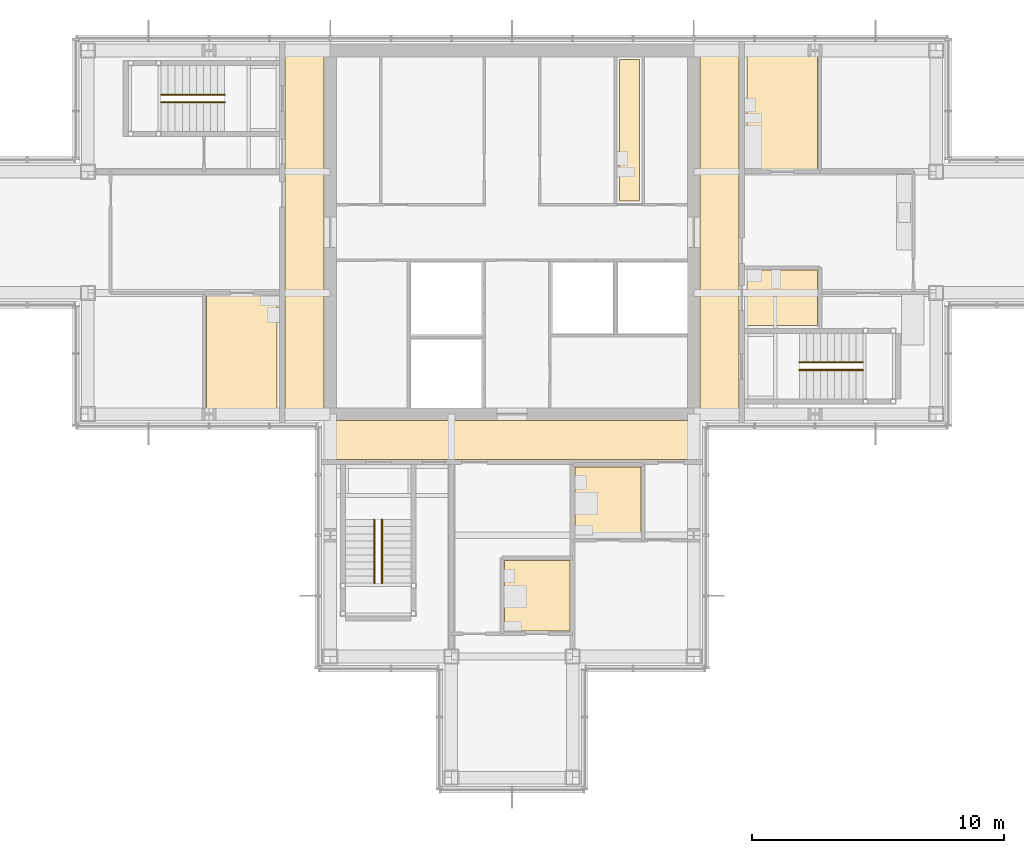
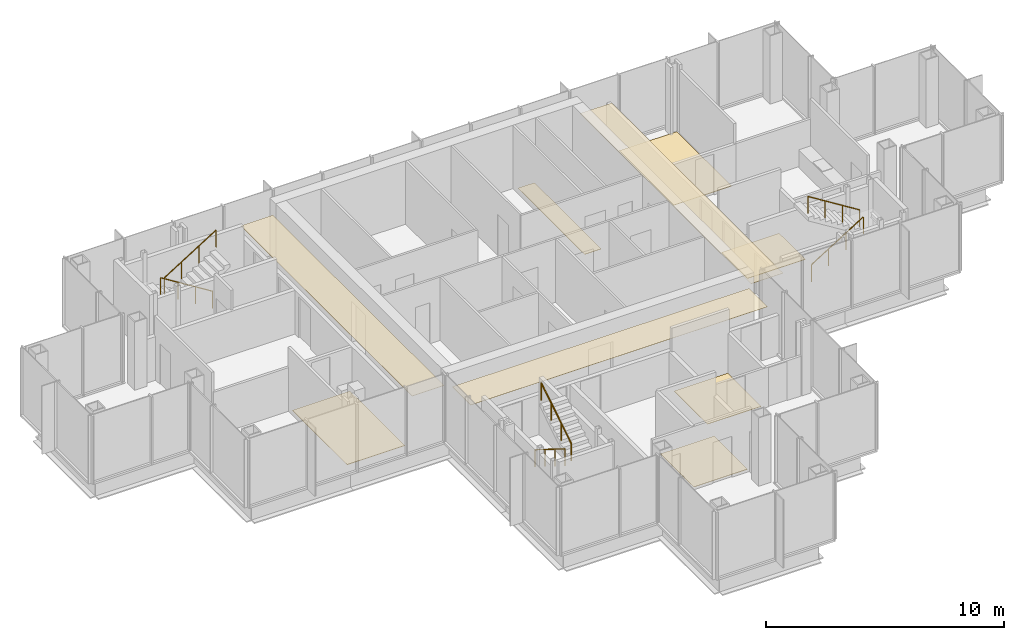
# One storey, part 13 of 15: 9 coverings, 6 railings.
"""IFC4 building model written with IfcOpenShell, lengths in metres."""

import ifcopenshell
import ifcopenshell.guid

model = None  # the IFC model being written
_history = None  # IfcOwnerHistory: only IFC2X3 demands one
_inside = {}  # id of a spatial element -> (the spatial element, [elements in it])
_under = {}  # id of a project, library or spatial element -> (it, [spatial elements below it])
_declared = {}  # id of a project -> (the project, [libraries it declares])
_typed = {}  # id of a type object -> (the type object, [elements of that type])
_made_of = {}  # id of a material, layer set ... -> (it, [elements and type objects made of it])


def new_model(schema):
    """Start an empty IFC model of exactly this schema.

    Asked for "IFC4X3", IfcOpenShell would pick the latest addendum, in which some entities
    have other attributes; the version numbers below select the first issue.
    IFC2X3 requires an IfcOwnerHistory on every rooted entity: one is made here for all.
    """
    global model, _history
    if schema == "IFC4X3":
        model = ifcopenshell.file(schema_version=(4, 3, 0, 0))
    else:
        model = ifcopenshell.file(schema=schema)
    _inside.clear()
    _under.clear()
    _declared.clear()
    _typed.clear()
    _made_of.clear()
    _history = None
    if model.schema == "IFC2X3":
        org = make("IfcOrganization", Name="unknown")
        user = make(
            "IfcPersonAndOrganization",
            ThePerson=make("IfcPerson", FamilyName="unknown"),
            TheOrganization=org,
        )
        app = make(
            "IfcApplication",
            ApplicationDeveloper=org,
            Version="unknown",
            ApplicationFullName="unknown",
            ApplicationIdentifier="unknown",
        )
        _history = make(
            "IfcOwnerHistory",
            OwningUser=user,
            OwningApplication=app,
            ChangeAction="ADDED",
            CreationDate=0,
        )
    return model


def make(cls, **values):
    """One entity of the class cls with the attributes given. An attribute that is None is left unset."""
    return model.create_entity(
        cls, **{name: value for name, value in values.items() if value is not None}
    )


def rooted(cls, **values):
    """An entity with a GlobalId (a new one), such as an element, a storey or a relation."""
    return make(cls, GlobalId=ifcopenshell.guid.new(), OwnerHistory=_history, **values)


def si_unit(unit_type, name, prefix=None):
    """IfcSIUnit, for example si_unit("LENGTHUNIT", "METRE", prefix="MILLI")."""
    return make("IfcSIUnit", UnitType=unit_type, Prefix=prefix, Name=name)


def assignment(units):
    """IfcUnitAssignment: the units of a project."""
    return None if units is None else make("IfcUnitAssignment", Units=units)


def point(xyz):
    """IfcCartesianPoint."""
    return None if xyz is None else make("IfcCartesianPoint", Coordinates=xyz)


def direction(xyz):
    """IfcDirection."""
    return None if xyz is None else make("IfcDirection", DirectionRatios=xyz)


def frame(location, z_axis=None, x_axis=None):
    """IfcAxis2Placement3D, a coordinate frame: its origin and axes. An axis left out is left unset."""
    return make(
        "IfcAxis2Placement3D",
        Location=point(location),
        Axis=direction(z_axis),
        RefDirection=direction(x_axis),
    )


def frame_2d(location, x_axis=None):
    """IfcAxis2Placement2D, a coordinate frame in the plane: its origin and x axis."""
    return make(
        "IfcAxis2Placement2D", Location=point(location), RefDirection=direction(x_axis)
    )


def origin():
    """The frame at (0, 0, 0) with its axes left unset."""
    return frame((0.0, 0.0, 0.0))


def origin_2d():
    """The frame at (0, 0) in the plane with its x axis left unset."""
    return frame_2d((0.0, 0.0))


def place(relative_to, where):
    """IfcLocalPlacement: puts the frame where relative to a parent placement (None: the world)."""
    return make(
        "IfcLocalPlacement", PlacementRelTo=relative_to, RelativePlacement=where
    )


def context(
    kind, dimensions, precision=None, world=None, true_north=None, identifier=None
):
    """IfcGeometricRepresentationContext, for example the 3D "Model" context."""
    return make(
        "IfcGeometricRepresentationContext",
        ContextIdentifier=identifier,
        ContextType=kind,
        CoordinateSpaceDimension=dimensions,
        Precision=precision,
        WorldCoordinateSystem=world,
        TrueNorth=true_north,
    )


def subcontext(parent, identifier, kind, view, scale=None):
    """IfcGeometricRepresentationSubContext, for example "Body" below "Model"."""
    return make(
        "IfcGeometricRepresentationSubContext",
        ContextIdentifier=identifier,
        ContextType=kind,
        ParentContext=parent,
        TargetScale=scale,
        TargetView=view,
    )


def project(units=None, contexts=None):
    """IfcProject with its units and contexts."""
    return rooted(
        "IfcProject",
        Name="project",
        RepresentationContexts=contexts,
        UnitsInContext=assignment(units),
    )


def spatial(cls, under=None, at=None, **own):
    """A site, building, storey or space (cls), placed at a placement, below another one or the project."""
    s = rooted(cls, ObjectPlacement=at, **own)
    if under is not None:
        _under.setdefault(under.id(), (under, []))[1].append(s)
    return s


def polyline(points):
    """IfcPolyline through the points."""
    return make("IfcPolyline", Points=[point(p) for p in points])


def profile(cls, at=None, kind="AREA", **sizes):
    """A parametric profile (cls). Its sizes go by their IFC names, for example OverallWidth=200.0."""
    return make(cls, ProfileType=kind, Position=at, **sizes)


def circle(**sizes):
    """IfcCircleProfileDef."""
    return profile("IfcCircleProfileDef", **sizes)


def outline(outer, holes=None, kind="AREA"):
    """IfcArbitraryClosedProfileDef: a profile drawn as a closed curve; with holes, ...WithVoids."""
    if holes is None:
        return make("IfcArbitraryClosedProfileDef", ProfileType=kind, OuterCurve=outer)
    return make(
        "IfcArbitraryProfileDefWithVoids",
        ProfileType=kind,
        OuterCurve=outer,
        InnerCurves=holes,
    )


def extrude(swept, where, along, depth):
    """IfcExtrudedAreaSolid: the profile swept, set in the frame where, extruded along a direction by depth."""
    return make(
        "IfcExtrudedAreaSolid",
        SweptArea=swept,
        Position=where,
        ExtrudedDirection=direction(along),
        Depth=depth,
    )


def shape(context_of_items, identifier, shape_type, items):
    """IfcShapeRepresentation: the items that make up one representation, for example the "Body"."""
    return make(
        "IfcShapeRepresentation",
        ContextOfItems=context_of_items,
        RepresentationIdentifier=identifier,
        RepresentationType=shape_type,
        Items=items,
    )


def material(Name=None, Category=None):
    """IfcMaterial."""
    return make("IfcMaterial", Name=Name, Category=Category)


def layer(
    of_material, thickness, ventilated=None, Name=None, Category=None, Priority=None
):
    """IfcMaterialLayer: one layer of a wall or slab, of a material (None: an air gap)."""
    return make(
        "IfcMaterialLayer",
        Material=of_material,
        LayerThickness=thickness,
        IsVentilated=ventilated,
        Name=Name,
        Category=Category,
        Priority=Priority,
    )


def layer_set(layers, Name=None):
    """IfcMaterialLayerSet."""
    return make("IfcMaterialLayerSet", MaterialLayers=layers, LayerSetName=Name)


def made_of(thing, what):
    """Note that an element or type object is made of a material, layer set ...; save() writes the relation."""
    if what is not None:
        _made_of.setdefault(what.id(), (what, []))[1].append(thing)
    return thing


def type_object(cls, material=None, **own):
    """A type object (cls), such as IfcWallType, which elements share."""
    return made_of(rooted(cls, **own), material)


def element(
    cls,
    number,
    at=None,
    inside=None,
    cuts=None,
    type_object=None,
    material=None,
    context=None,
    identifier="Body",
    shape_type=None,
    held_by="IfcProductDefinitionShape",
    body=None,
    shapes=None,
    **own,
):
    """One element of the class cls, such as IfcWall. Its Tag is "e" and its number.

    at: its placement. inside: the storey or other place that contains it. cuts: it is an
    opening in that element (IfcRelVoidsElement). A single representation is given by context,
    identifier, shape_type and body (its items); several are given by shapes. held_by: the class
    of the entity that holds the representations. save() writes the other relations.
    """
    e = rooted(cls, Tag="e%d" % number, ObjectPlacement=at, **own)
    if body is not None:
        shapes = [shape(context, identifier, shape_type, body)]
    if shapes is not None:
        e.Representation = make(held_by, Representations=shapes)
    if inside is not None:
        _inside.setdefault(inside.id(), (inside, []))[1].append(e)
    if cuts is not None:
        rooted(
            "IfcRelVoidsElement", RelatingBuildingElement=cuts, RelatedOpeningElement=e
        )
    if type_object is not None:
        _typed.setdefault(type_object.id(), (type_object, []))[1].append(e)
    return made_of(e, material)


def aggregate(whole, parts):
    """IfcRelAggregates: a whole, such as a stair, and the parts it consists of."""
    return rooted("IfcRelAggregates", RelatingObject=whole, RelatedObjects=parts)


def save(model, path):
    """Write the relations noted so far, then the file.

    IfcRelAggregates (storeys below a building ...), IfcRelContainedInSpatialStructure (elements
    in a storey), IfcRelDefinesByType, IfcRelAssociatesMaterial and IfcRelDeclares: one each for
    every whole, place, type object, material and project.
    """
    for whole, parts in _under.values():
        aggregate(whole, parts)
    for where, things in _inside.values():
        rooted(
            "IfcRelContainedInSpatialStructure",
            RelatedElements=things,
            RelatingStructure=where,
        )
    for kind, things in _typed.values():
        rooted("IfcRelDefinesByType", RelatedObjects=things, RelatingType=kind)
    for what, things in _made_of.values():
        rooted("IfcRelAssociatesMaterial", RelatedObjects=things, RelatingMaterial=what)
    for by, libraries in _declared.values():
        rooted("IfcRelDeclares", RelatingContext=by, RelatedDefinitions=libraries)
    model.write(path)


model = new_model("IFC4")

# Units and contexts
model_context = context("Model", 3, precision=1e-05, world=origin(), true_north=direction((0.0, 1.0)))
body_context = subcontext(model_context, "Body", "Model", "MODEL_VIEW")
ifc_project = project(units=[si_unit("LENGTHUNIT", "METRE"), si_unit("AREAUNIT", "SQUARE_METRE"), si_unit("VOLUMEUNIT", "CUBIC_METRE"), si_unit("PLANEANGLEUNIT", "RADIAN"), si_unit("MASSUNIT", "GRAM", prefix="KILO")], contexts=[model_context])

# Site, building, storey
site_placement = place(None, origin())
site = spatial("IfcSite", under=ifc_project, at=site_placement, CompositionType="ELEMENT")
building_placement = place(site_placement, origin())
building = spatial("IfcBuilding", under=site, at=building_placement, Name="Kvirike Care Tower", CompositionType="ELEMENT")
storey_placement = place(building_placement, frame((0.0, 0.0, 240.0)))
storey = spatial("IfcBuildingStorey", under=building, at=storey_placement, Name="L66", CompositionType="ELEMENT", Elevation=240.0)

# Coverings
ifc_material_1 = material(Name="Perforated metal ceiling tile", Category="aluminium")
ifc_layer_1 = layer(ifc_material_1, 0.014892578125)
ifc_layer_set_1 = layer_set([ifc_layer_1], Name="CORRIDOR CEILING 15")
covering_type_1 = type_object("IfcCoveringType", Name="CORRIDOR CEILING 15", PredefinedType="CEILING", material=ifc_layer_set_1)
covering_1_placement = place(storey_placement, frame((0.0, 0.0, 2.5)))
element("IfcCovering", 1, at=covering_1_placement, inside=storey, type_object=covering_type_1, Name="Corridor ceiling L66", PredefinedType="CEILING", context=body_context, shape_type="SweptSolid", body=[
    extrude(outline(polyline([(12.60009765625, 43.199951171875), (14.14990234375, 43.199951171875), (14.14990234375, 28.800048828125), (12.60009765625, 28.800048828125), (12.60009765625, 43.199951171875)])), origin(), (0.0, 0.0, 1.0), 0.014892578125),
])
covering_2_placement = place(storey_placement, frame((0.0, 0.0, 2.5)))
element("IfcCovering", 2, at=covering_2_placement, inside=storey, type_object=covering_type_1, Name="Corridor ceiling L66", PredefinedType="CEILING", context=body_context, shape_type="SweptSolid", body=[
    extrude(outline(polyline([(14.39990234375, 27.0), (14.39990234375, 28.550048828125), (28.800048828125, 28.550048828125), (28.800048828125, 27.0), (14.39990234375, 27.0)])), origin(), (0.0, 0.0, 1.0), 0.014892578125),
])
covering_3_placement = place(storey_placement, frame((0.0, 0.0, 2.5)))
element("IfcCovering", 3, at=covering_3_placement, inside=storey, type_object=covering_type_1, Name="Corridor ceiling L66", PredefinedType="CEILING", context=body_context, shape_type="SweptSolid", body=[
    extrude(outline(polyline([(30.60009765625, 28.800048828125), (29.050048828125, 28.800048828125), (29.050048828125, 43.199951171875), (30.60009765625, 43.199951171875), (30.60009765625, 28.800048828125)])), origin(), (0.0, 0.0, 1.0), 0.014892578125),
])

# Railings
ifc_material_2 = material(Name="Stainless steel handrail", Category="steel")
railing_type = type_object("IfcRailingType", Name="STAIR HANDRAIL 900", PredefinedType="HANDRAIL", material=ifc_material_2)
railing_1_placement = place(storey_placement, frame((10.219970703125, 41.449951171875, 0.175048828125)))
element("IfcRailing", 4, at=railing_1_placement, inside=storey, type_object=railing_type, Name="Stair 1 handrail L66 flight 1", PredefinedType="HANDRAIL", context=body_context, shape_type="SweptSolid", body=[
    extrude(circle(Radius=0.02490234375, at=origin_2d()), frame((0.0, 0.0, 0.875), z_axis=(-0.848007534815, 0.0, 0.529984170421), x_axis=(0.0, -1.0, 0.0)), (0.0, 0.0, 1.0), 2.9716796875),
    extrude(circle(Radius=0.02001953125, at=origin_2d()), origin(), (0.0, 0.0, 1.0), 0.849853515625),
    extrude(circle(Radius=0.02001953125, at=origin_2d()), frame((-0.840087890625, 0.0, 0.52490234375)), (0.0, 0.0, 1.0), 0.849853515625),
    extrude(circle(Radius=0.02001953125, at=origin_2d()), frame((-1.679931640625, 0.0, 1.050048828125)), (0.0, 0.0, 1.0), 0.849853515625),
    extrude(circle(Radius=0.02001953125, at=origin_2d()), frame((-2.52001953125, 0.0, 1.574951171875)), (0.0, 0.0, 1.0), 0.849853515625),
])
for number, where, name in (
    (5, (7.699951171875, 41.14990234375, 1.925048828125), "Stair 1 handrail L66 flight 2"),
    (6, (32.97998046875, 30.550048828125, 0.175048828125), "Stair 2 handrail L66 flight 1"),
):
    element("IfcRailing", number, at=place(storey_placement, frame(where)), inside=storey, type_object=railing_type, Name=name, PredefinedType="HANDRAIL", context=body_context, shape_type="SweptSolid", body=[
        extrude(circle(Radius=0.02490234375, at=origin_2d()), frame((0.0, 0.0, 0.875), z_axis=(0.848007534815, 0.0, 0.529984170421), x_axis=(0.0, 1.0, 0.0)), (0.0, 0.0, 1.0), 2.9716796875),
        extrude(circle(Radius=0.02001953125, at=origin_2d()), origin(), (0.0, 0.0, 1.0), 0.849853515625),
        extrude(circle(Radius=0.02001953125, at=origin_2d()), frame((0.840087890625, 0.0, 0.52490234375)), (0.0, 0.0, 1.0), 0.849853515625),
        extrude(circle(Radius=0.02001953125, at=origin_2d()), frame((1.679931640625, 0.0, 1.050048828125)), (0.0, 0.0, 1.0), 0.849853515625),
        extrude(circle(Radius=0.02001953125, at=origin_2d()), frame((2.52001953125, 0.0, 1.574951171875)), (0.0, 0.0, 1.0), 0.849853515625),
    ])
railing_2_placement = place(storey_placement, frame((35.5, 30.85009765625, 1.925048828125)))
element("IfcRailing", 7, at=railing_2_placement, inside=storey, type_object=railing_type, Name="Stair 2 handrail L66 flight 2", PredefinedType="HANDRAIL", context=body_context, shape_type="SweptSolid", body=[
    extrude(circle(Radius=0.02490234375, at=origin_2d()), frame((0.0, 0.0, 0.875), z_axis=(-0.848007534815, 0.0, 0.529984170421), x_axis=(0.0, -1.0, 0.0)), (0.0, 0.0, 1.0), 2.9716796875),
    extrude(circle(Radius=0.02001953125, at=origin_2d()), origin(), (0.0, 0.0, 1.0), 0.849853515625),
    extrude(circle(Radius=0.02001953125, at=origin_2d()), frame((-0.840087890625, 0.0, 0.52490234375)), (0.0, 0.0, 1.0), 0.849853515625),
    extrude(circle(Radius=0.02001953125, at=origin_2d()), frame((-1.679931640625, 0.0, 1.050048828125)), (0.0, 0.0, 1.0), 0.849853515625),
    extrude(circle(Radius=0.02001953125, at=origin_2d()), frame((-2.52001953125, 0.0, 1.574951171875)), (0.0, 0.0, 1.0), 0.849853515625),
])
railing_3_placement = place(storey_placement, frame((16.14990234375, 24.6201171875, 0.175048828125)))
element("IfcRailing", 8, at=railing_3_placement, inside=storey, type_object=railing_type, Name="Stair 5 handrail L66 flight 1", PredefinedType="HANDRAIL", context=body_context, shape_type="SweptSolid", body=[
    extrude(circle(Radius=0.02490234375, at=origin_2d()), frame((0.0, 0.0, 0.875), z_axis=(0.0, -0.848007534815, 0.529984170421), x_axis=(1.0, 0.0, 0.0)), (0.0, 0.0, 1.0), 2.9716796875),
    extrude(circle(Radius=0.02001953125, at=origin_2d()), origin(), (0.0, 0.0, 1.0), 0.849853515625),
    extrude(circle(Radius=0.02001953125, at=origin_2d()), frame((0.0, -0.840087890625, 0.52490234375)), (0.0, 0.0, 1.0), 0.849853515625),
    extrude(circle(Radius=0.02001953125, at=origin_2d()), frame((0.0, -1.679931640625, 1.050048828125)), (0.0, 0.0, 1.0), 0.849853515625),
    extrude(circle(Radius=0.02001953125, at=origin_2d()), frame((0.0, -2.52001953125, 1.574951171875)), (0.0, 0.0, 1.0), 0.849853515625),
])
railing_4_placement = place(storey_placement, frame((16.449951171875, 22.10009765625, 1.925048828125)))
element("IfcRailing", 9, at=railing_4_placement, inside=storey, type_object=railing_type, Name="Stair 5 handrail L66 flight 2", PredefinedType="HANDRAIL", context=body_context, shape_type="SweptSolid", body=[
    extrude(circle(Radius=0.02490234375, at=origin_2d()), frame((0.0, 0.0, 0.875), z_axis=(0.0, 0.848007534815, 0.529984170421), x_axis=(-1.0, 0.0, 0.0)), (0.0, 0.0, 1.0), 2.9716796875),
    extrude(circle(Radius=0.02001953125, at=origin_2d()), origin(), (0.0, 0.0, 1.0), 0.849853515625),
    extrude(circle(Radius=0.02001953125, at=origin_2d()), frame((0.0, 0.840087890625, 0.52490234375)), (0.0, 0.0, 1.0), 0.849853515625),
    extrude(circle(Radius=0.02001953125, at=origin_2d()), frame((0.0, 1.679931640625, 1.050048828125)), (0.0, 0.0, 1.0), 0.849853515625),
    extrude(circle(Radius=0.02001953125, at=origin_2d()), frame((0.0, 2.52001953125, 1.574951171875)), (0.0, 0.0, 1.0), 0.849853515625),
])

# Coverings
ifc_material_3 = material(Name="Slip-resistant vinyl safety flooring on screed")
ifc_layer_2 = layer(ifc_material_3, 0.02001953125)
ifc_layer_set_2 = layer_set([ifc_layer_2], Name="WET ROOM FLOOR 20")
covering_type_2 = type_object("IfcCoveringType", Name="WET ROOM FLOOR 20", PredefinedType="FLOORING", material=ifc_layer_set_2)
covering_4_placement = place(storey_placement, origin())
element("IfcCovering", 10, at=covering_4_placement, inside=storey, type_object=covering_type_2, Name="Accessible WC floor L66-006", PredefinedType="FLOORING", context=body_context, shape_type="SweptSolid", body=[
    extrude(outline(polyline([(9.5, 33.5), (12.300048828125, 33.5), (12.300048828125, 28.89990234375), (9.5, 28.89990234375), (9.5, 33.5)])), origin(), (0.0, 0.0, 1.0), 0.02001953125),
])
covering_5_placement = place(storey_placement, origin())
element("IfcCovering", 11, at=covering_5_placement, inside=storey, type_object=covering_type_2, Name="En-suite floor L66-012", PredefinedType="FLOORING", context=body_context, shape_type="SweptSolid", body=[
    extrude(outline(polyline([(21.300048828125, 20.199951171875), (21.300048828125, 23.0), (23.89990234375, 23.0), (23.89990234375, 20.199951171875), (21.300048828125, 20.199951171875)])), origin(), (0.0, 0.0, 1.0), 0.02001953125),
])
covering_6_placement = place(storey_placement, origin())
element("IfcCovering", 12, at=covering_6_placement, inside=storey, type_object=covering_type_2, Name="En-suite floor L66-015", PredefinedType="FLOORING", context=body_context, shape_type="SweptSolid", body=[
    extrude(outline(polyline([(24.10009765625, 23.89990234375), (24.10009765625, 26.699951171875), (26.699951171875, 26.699951171875), (26.699951171875, 23.89990234375), (24.10009765625, 23.89990234375)])), origin(), (0.0, 0.0, 1.0), 0.02001953125),
])
covering_7_placement = place(storey_placement, origin())
element("IfcCovering", 13, at=covering_7_placement, inside=storey, type_object=covering_type_2, Name="Accessible WC floor L66-021", PredefinedType="FLOORING", context=body_context, shape_type="SweptSolid", body=[
    extrude(outline(polyline([(33.699951171875, 32.300048828125), (30.89990234375, 32.300048828125), (30.89990234375, 34.5), (33.699951171875, 34.5), (33.699951171875, 32.300048828125)])), origin(), (0.0, 0.0, 1.0), 0.02001953125),
])
covering_8_placement = place(storey_placement, origin())
element("IfcCovering", 14, at=covering_8_placement, inside=storey, type_object=covering_type_2, Name="Bathroom floor L66-022", PredefinedType="FLOORING", context=body_context, shape_type="SweptSolid", body=[
    extrude(outline(polyline([(33.699951171875, 38.5), (30.89990234375, 38.5), (30.89990234375, 43.10009765625), (33.699951171875, 43.10009765625), (33.699951171875, 38.5)])), origin(), (0.0, 0.0, 1.0), 0.02001953125),
])
covering_9_placement = place(storey_placement, origin())
element("IfcCovering", 15, at=covering_9_placement, inside=storey, type_object=covering_type_2, Name="Staff WC floor L66-030", PredefinedType="FLOORING", context=body_context, shape_type="SweptSolid", body=[
    extrude(outline(polyline([(26.64990234375, 37.25), (25.85009765625, 37.25), (25.85009765625, 42.85009765625), (26.64990234375, 42.85009765625), (26.64990234375, 37.25)])), origin(), (0.0, 0.0, 1.0), 0.02001953125),
])

save(model, "model.ifc")
